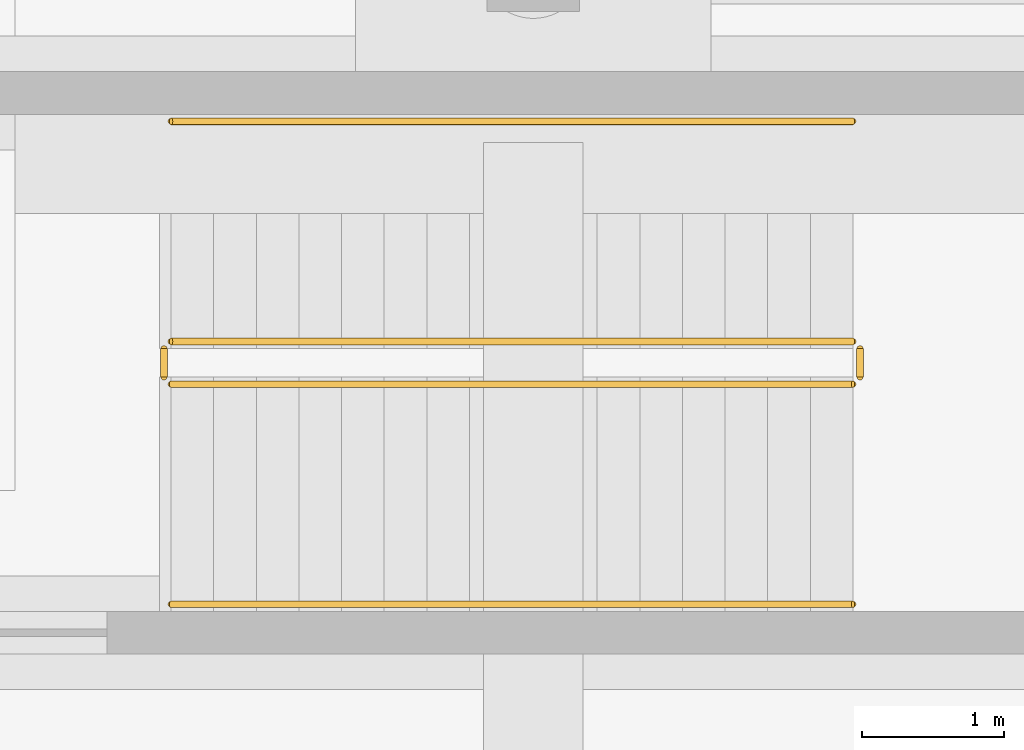
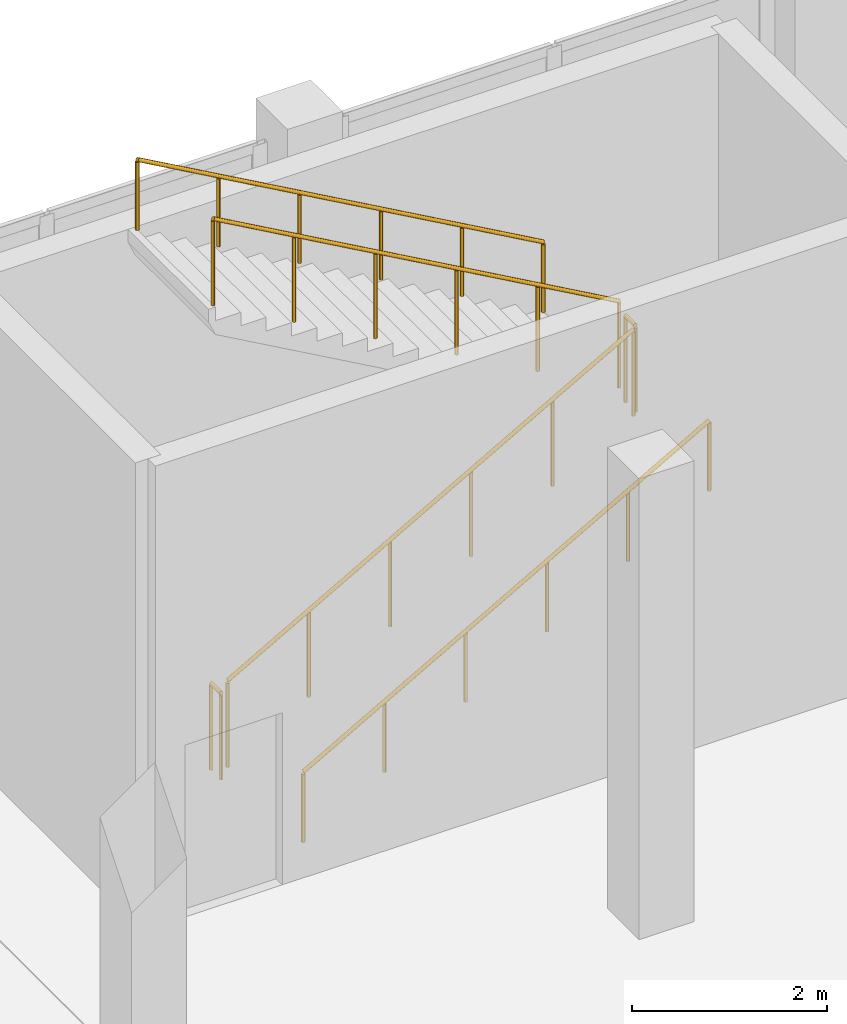
# One storey, part 96 of 103: 6 railings.
"""IFC4 building model written with IfcOpenShell, lengths in metres."""

from ifc_helpers import new_model, si_unit, direction, frame, origin, origin_2d, place, context, subcontext, project, spatial, circle, extrude, material, type_object, element, save


model = new_model("IFC4")

# Units and contexts
model_context = context("Model", 3, precision=1e-05, world=origin(), true_north=direction((0.0, 1.0)))
body_context = subcontext(model_context, "Body", "Model", "MODEL_VIEW")
ifc_project = project(units=[si_unit("LENGTHUNIT", "METRE"), si_unit("AREAUNIT", "SQUARE_METRE"), si_unit("VOLUMEUNIT", "CUBIC_METRE"), si_unit("PLANEANGLEUNIT", "RADIAN"), si_unit("MASSUNIT", "GRAM", prefix="KILO")], contexts=[model_context])

# Site, building, storey
site_placement = place(None, origin())
site = spatial("IfcSite", under=ifc_project, at=site_placement, CompositionType="ELEMENT")
building_placement = place(site_placement, origin())
building = spatial("IfcBuilding", under=site, at=building_placement, Name="Dunvalen Ferry Terminal", CompositionType="ELEMENT")
storey_placement = place(building_placement, origin())
storey = spatial("IfcBuildingStorey", under=building, at=storey_placement, Name="L00", CompositionType="ELEMENT", Elevation=0.0)

# Railings
ifc_material_1 = material(Name="Painted galvanised steel S275", Category="steel")
railing_type_1 = type_object("IfcRailingType", Name="INT-RL-STGRD", PredefinedType="GUARDRAIL", material=ifc_material_1)
railing_1_placement = place(storey_placement, frame((27.449951171875, 112.25, 0.16943359375)))
element("IfcRailing", 1, at=railing_1_placement, inside=storey, type_object=railing_type_1, Name="L00 ST11 stair guard 1", PredefinedType="GUARDRAIL", context=body_context, shape_type="SweptSolid", body=[
    extrude(circle(Radius=0.02392578125, at=origin_2d()), frame((0.0, 0.0, 1.076171875), z_axis=(0.870766506294, 0.0, 0.491696747514), x_axis=(0.0, 1.0, 0.0)), (0.0, 0.0, 1.0), 5.512451171875),
    extrude(circle(Radius=0.02099609375, at=origin_2d()), origin(), (0.0, 0.0, 1.0), 1.052001953125),
    extrude(circle(Radius=0.02099609375, at=origin_2d()), frame((0.9599609375, 0.0, 0.5419921875)), (0.0, 0.0, 1.0), 1.052001953125),
    extrude(circle(Radius=0.02099609375, at=origin_2d()), frame((1.919921875, 0.0, 1.084228515625)), (0.0, 0.0, 1.0), 1.052001953125),
    extrude(circle(Radius=0.02099609375, at=origin_2d()), frame((2.880126953125, 0.0, 1.626220703125)), (0.0, 0.0, 1.0), 1.052001953125),
    extrude(circle(Radius=0.02099609375, at=origin_2d()), frame((3.840087890625, 0.0, 2.16845703125)), (0.0, 0.0, 1.0), 1.052001953125),
    extrude(circle(Radius=0.02099609375, at=origin_2d()), frame((4.800048828125, 0.0, 2.71044921875)), (0.0, 0.0, 1.0), 1.052001953125),
])
railing_2_placement = place(storey_placement, frame((32.300048828125, 112.300048828125, 2.8798828125)))
element("IfcRailing", 2, at=railing_2_placement, inside=storey, type_object=railing_type_1, Name="L00 ST11 stair guard 2", PredefinedType="GUARDRAIL", context=body_context, shape_type="SweptSolid", body=[
    extrude(circle(Radius=0.02392578125, at=origin_2d()), frame((0.0, 0.0, 1.076171875), z_axis=(0.0, 1.0, 0.0), x_axis=(-1.0, 0.0, 0.0)), (0.0, 0.0, 1.0), 0.199951171875),
    extrude(circle(Radius=0.02099609375, at=origin_2d()), origin(), (0.0, 0.0, 1.0), 1.052001953125),
    extrude(circle(Radius=0.02099609375, at=origin_2d()), frame((0.0, 0.199951171875, 0.0)), (0.0, 0.0, 1.0), 1.052001953125),
])
railing_3_placement = place(storey_placement, frame((32.25, 112.550048828125, 3.04931640625)))
element("IfcRailing", 3, at=railing_3_placement, inside=storey, type_object=railing_type_1, Name="L00 ST11 stair guard 3", PredefinedType="GUARDRAIL", context=body_context, shape_type="SweptSolid", body=[
    extrude(circle(Radius=0.02392578125, at=origin_2d()), frame((0.0, 0.0, 1.076171875), z_axis=(-0.870747543578, 0.0, 0.491730327875), x_axis=(0.0, -1.0, 0.0)), (0.0, 0.0, 1.0), 5.512451171875),
    extrude(circle(Radius=0.02099609375, at=origin_2d()), origin(), (0.0, 0.0, 1.0), 1.052001953125),
    extrude(circle(Radius=0.02099609375, at=origin_2d()), frame((-0.9599609375, 0.0, 0.542236328125)), (0.0, 0.0, 1.0), 1.052001953125),
    extrude(circle(Radius=0.02099609375, at=origin_2d()), frame((-1.919921875, 0.0, 1.084228515625)), (0.0, 0.0, 1.0), 1.052001953125),
    extrude(circle(Radius=0.02099609375, at=origin_2d()), frame((-2.880126953125, 0.0, 1.62646484375)), (0.0, 0.0, 1.0), 1.052001953125),
    extrude(circle(Radius=0.02099609375, at=origin_2d()), frame((-3.840087890625, 0.0, 2.16845703125)), (0.0, 0.0, 1.0), 1.052001953125),
    extrude(circle(Radius=0.02099609375, at=origin_2d()), frame((-4.800048828125, 0.0, 2.710693359375)), (0.0, 0.0, 1.0), 1.052001953125),
])
railing_4_placement = place(storey_placement, frame((27.39990234375, 112.300048828125, 0.0)))
element("IfcRailing", 4, at=railing_4_placement, inside=storey, type_object=railing_type_1, Name="L00 ST11 stair guard 4", PredefinedType="GUARDRAIL", context=body_context, shape_type="SweptSolid", body=[
    extrude(circle(Radius=0.02392578125, at=origin_2d()), frame((0.0, 0.0, 1.076171875), z_axis=(0.0, 1.0, 0.0), x_axis=(-1.0, 0.0, 0.0)), (0.0, 0.0, 1.0), 0.199951171875),
    extrude(circle(Radius=0.02099609375, at=origin_2d()), origin(), (0.0, 0.0, 1.0), 1.052001953125),
    extrude(circle(Radius=0.02099609375, at=origin_2d()), frame((0.0, 0.199951171875, 0.0)), (0.0, 0.0, 1.0), 1.052001953125),
])
ifc_material_2 = material(Name="Brushed 316 stainless steel", Category="steel")
railing_type_2 = type_object("IfcRailingType", Name="INT-RL-STHND", PredefinedType="HANDRAIL", material=ifc_material_2)
railing_5_placement = place(storey_placement, frame((27.449951171875, 110.699951171875, 0.16943359375)))
element("IfcRailing", 5, at=railing_5_placement, inside=storey, type_object=railing_type_2, Name="L00 ST11 stair handrail 1", PredefinedType="HANDRAIL", context=body_context, shape_type="SweptSolid", body=[
    extrude(circle(Radius=0.02392578125, at=origin_2d()), frame((0.0, 0.0, 0.8759765625), z_axis=(0.870766506294, 0.0, 0.491696747514), x_axis=(0.0, 1.0, 0.0)), (0.0, 0.0, 1.0), 5.512451171875),
    extrude(circle(Radius=0.02099609375, at=origin_2d()), origin(), (0.0, 0.0, 1.0), 0.851806640625),
    extrude(circle(Radius=0.02099609375, at=origin_2d()), frame((0.9599609375, 0.0, 0.5419921875)), (0.0, 0.0, 1.0), 0.851806640625),
    extrude(circle(Radius=0.02099609375, at=origin_2d()), frame((1.919921875, 0.0, 1.084228515625)), (0.0, 0.0, 1.0), 0.851806640625),
    extrude(circle(Radius=0.02099609375, at=origin_2d()), frame((2.880126953125, 0.0, 1.626220703125)), (0.0, 0.0, 1.0), 0.851806640625),
    extrude(circle(Radius=0.02099609375, at=origin_2d()), frame((3.840087890625, 0.0, 2.16845703125)), (0.0, 0.0, 1.0), 0.851806640625),
    extrude(circle(Radius=0.02099609375, at=origin_2d()), frame((4.800048828125, 0.0, 2.71044921875)), (0.0, 0.0, 1.0), 0.851806640625),
])
railing_6_placement = place(storey_placement, frame((32.25, 114.10009765625, 3.04931640625)))
element("IfcRailing", 6, at=railing_6_placement, inside=storey, type_object=railing_type_2, Name="L00 ST11 stair handrail 2", PredefinedType="HANDRAIL", context=body_context, shape_type="SweptSolid", body=[
    extrude(circle(Radius=0.02392578125, at=origin_2d()), frame((0.0, 0.0, 0.8759765625), z_axis=(-0.870747543578, 0.0, 0.491730327875), x_axis=(0.0, -1.0, 0.0)), (0.0, 0.0, 1.0), 5.512451171875),
    extrude(circle(Radius=0.02099609375, at=origin_2d()), origin(), (0.0, 0.0, 1.0), 0.851806640625),
    extrude(circle(Radius=0.02099609375, at=origin_2d()), frame((-0.9599609375, 0.0, 0.542236328125)), (0.0, 0.0, 1.0), 0.851806640625),
    extrude(circle(Radius=0.02099609375, at=origin_2d()), frame((-1.919921875, 0.0, 1.084228515625)), (0.0, 0.0, 1.0), 0.851806640625),
    extrude(circle(Radius=0.02099609375, at=origin_2d()), frame((-2.880126953125, 0.0, 1.62646484375)), (0.0, 0.0, 1.0), 0.851806640625),
    extrude(circle(Radius=0.02099609375, at=origin_2d()), frame((-3.840087890625, 0.0, 2.16845703125)), (0.0, 0.0, 1.0), 0.851806640625),
    extrude(circle(Radius=0.02099609375, at=origin_2d()), frame((-4.800048828125, 0.0, 2.710693359375)), (0.0, 0.0, 1.0), 0.851806640625),
])

save(model, "model.ifc")
